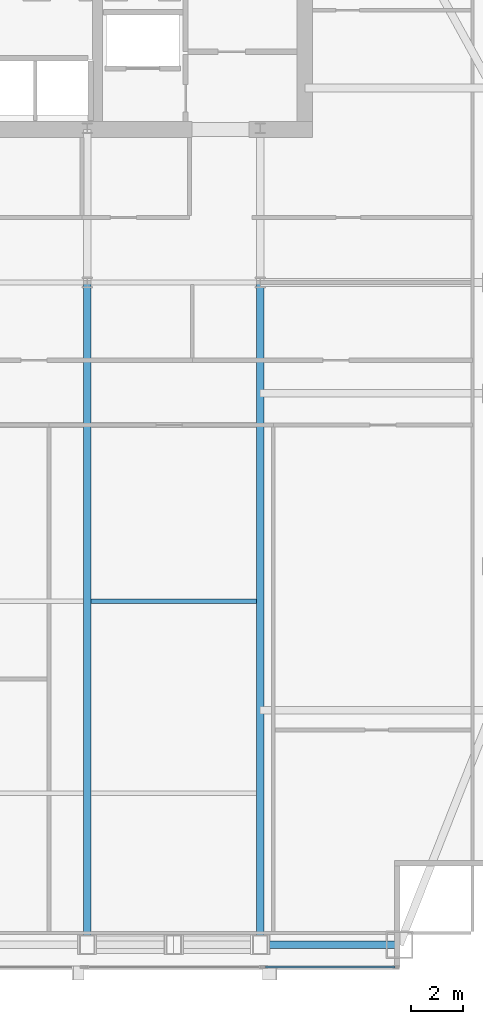
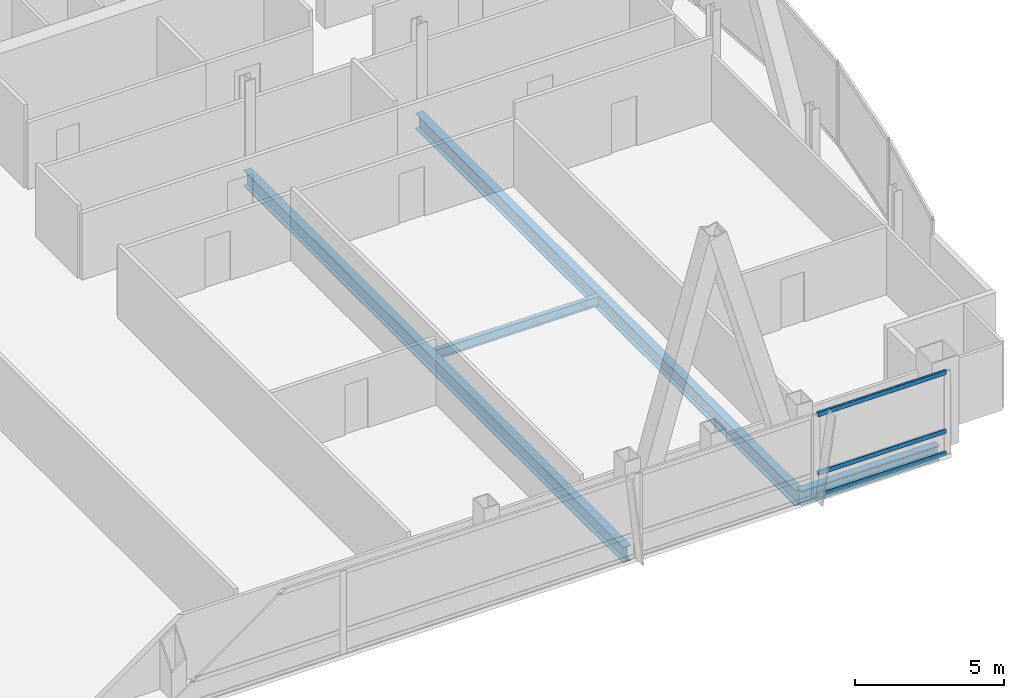
# One storey, part 15 of 31: 4 beams, 3 members, 1 element without a shape of its own.
"""IFC4 building model written with IfcOpenShell, lengths in metres."""

from ifc_helpers import new_model, si_unit, direction, frame, origin, origin_2d, place, context, subcontext, project, spatial, hollow_rectangle, i_section, extrude, material, material_profile, profile_set, type_object, element, aggregate, save


model = new_model("IFC4")

# Units and contexts
model_context = context("Model", 3, precision=1e-05, world=origin(), true_north=direction((0.0, 1.0)))
body_context = subcontext(model_context, "Body", "Model", "MODEL_VIEW")
ifc_project = project(units=[si_unit("LENGTHUNIT", "METRE"), si_unit("AREAUNIT", "SQUARE_METRE"), si_unit("VOLUMEUNIT", "CUBIC_METRE"), si_unit("PLANEANGLEUNIT", "RADIAN"), si_unit("MASSUNIT", "GRAM", prefix="KILO")], contexts=[model_context])

# Site, building, storey
site_placement = place(None, origin())
site = spatial("IfcSite", under=ifc_project, at=site_placement, CompositionType="ELEMENT")
building_placement = place(site_placement, origin())
building = spatial("IfcBuilding", under=site, at=building_placement, Name="Khoronbel Lancet Exchange", CompositionType="ELEMENT")
storey_placement = place(building_placement, frame((0.0, 0.0, 261.800048828125)))
storey = spatial("IfcBuildingStorey", under=building, at=storey_placement, Name="L67", CompositionType="ELEMENT", Elevation=261.800048828125)

# Beams
ifc_material_1 = material(Name="Steel S355", Category="steel")
ifc_material_profile_1 = material_profile(ifc_material_1, i_section(OverallWidth=0.300048828125, OverallDepth=0.64990234375, WebThickness=0.01611328125, FlangeThickness=0.031005859375, at=origin_2d()), Name="HEB 650")
ifc_profile_set_1 = profile_set([ifc_material_profile_1], Name="Steel S355")
beam_type_1 = type_object("IfcBeamType", Name="BM-BG4", PredefinedType="BEAM", material=ifc_profile_set_1)
for number, where, z_axis, x_axis, name in (
    (1, (48.0, 10.14990234375, -0.485107421875), (0.0, 1.0, 0.0), (-1.0, 0.0, 0.0), "Level L67 south primary girder GS5"),
    (2, (54.675048828125, 10.14990234375, -0.485107421875), (0.0, 1.0, 0.0), (-1.0, 0.0, 0.0), "Level L67 south primary girder GS6"),
):
    element("IfcBeam", number, at=place(storey_placement, frame(where, z_axis=z_axis, x_axis=x_axis)), inside=storey, type_object=beam_type_1, Name=name, PredefinedType="BEAM", context=body_context, shape_type="SweptSolid", body=[
        extrude(i_section(OverallWidth=0.300048828125, OverallDepth=0.64990234375, WebThickness=0.01611328125, FlangeThickness=0.031005859375, at=origin_2d()), origin(), (0.0, 0.0, 1.0), 25.550048828125),
    ])
ifc_material_profile_2 = material_profile(ifc_material_1, i_section(OverallWidth=0.179931640625, OverallDepth=0.39990234375, WebThickness=0.008544921875, FlangeThickness=0.013427734375, at=origin_2d()), Name="IPE 400")
ifc_profile_set_2 = profile_set([ifc_material_profile_2], Name="Steel S355")
beam_type_2 = type_object("IfcBeamType", Name="BM-BJ5", PredefinedType="JOIST", material=ifc_profile_set_2)
beam_1_placement = place(storey_placement, frame((48.14990234375, 23.39990234375, -0.360107421875), z_axis=(1.0, 0.0, 0.0), x_axis=(0.0, 1.0, 0.0)))
element("IfcBeam", 3, at=beam_1_placement, inside=storey, type_object=beam_type_2, Name="Level L67 secondary composite joist J10", PredefinedType="JOIST", context=body_context, shape_type="SweptSolid", body=[
    extrude(i_section(OverallWidth=0.179931640625, OverallDepth=0.39990234375, WebThickness=0.008544921875, FlangeThickness=0.013427734375, at=origin_2d()), origin(), (0.0, 0.0, 1.0), 6.375),
])
ifc_material_profile_3 = material_profile(ifc_material_1, i_section(OverallWidth=0.300048828125, OverallDepth=0.60009765625, WebThickness=0.015380859375, FlangeThickness=0.030029296875, at=origin_2d()), Name="HEB 600")
ifc_profile_set_3 = profile_set([ifc_material_profile_3], Name="Steel S355")
beam_type_3 = type_object("IfcBeamType", Name="BM-BSP2", PredefinedType="SPANDREL", material=ifc_profile_set_3)
beam_2_placement = place(storey_placement, frame((54.675048828125, 10.14990234375, -0.4599609375), z_axis=(1.0, 0.0, 0.0), x_axis=(0.0, 1.0, 0.0)))
element("IfcBeam", 4, at=beam_2_placement, inside=storey, type_object=beam_type_3, Name="Level L67 perimeter spandrel beam SP09", PredefinedType="SPANDREL", context=body_context, shape_type="SweptSolid", body=[
    extrude(i_section(OverallWidth=0.300048828125, OverallDepth=0.60009765625, WebThickness=0.015380859375, FlangeThickness=0.030029296875, at=origin_2d()), origin(), (0.0, 0.0, 1.0), 5.375),
])

# Curtain wall, members
ifc_material_2 = material(Name="Low-E Solar Control Insulating Glass", Category="glass")
curtain_wall_type = type_object("IfcCurtainWallType", Name="CW-3", PredefinedType="NOTDEFINED", material=ifc_material_2)
curtain_wall_placement = place(storey_placement, origin())
curtain_wall = element("IfcCurtainWall", 5, at=curtain_wall_placement, inside=storey, type_object=curtain_wall_type, Name="Unitised curtain wall CW-L67-SEV", PredefinedType="NOTDEFINED")
ifc_material_3 = material(Name="Bronze-Anodised Aluminium 6063-T6", Category="aluminium")
ifc_material_profile_4 = material_profile(ifc_material_3, hollow_rectangle(XDim=0.0849609375, YDim=0.179931640625, WallThickness=0.0048828125, at=origin_2d()), Name="ALU TRANSOM 85x180")
ifc_profile_set_4 = profile_set([ifc_material_profile_4], Name="Bronze-Anodised Aluminium 6063-T6")
member_type = type_object("IfcMemberType", Name="MEM-CWT1", PredefinedType="USERDEFINED", material=ifc_profile_set_4)
member_1_placement = place(storey_placement, frame((54.885009765625, 9.2900390625, 0.04248046875), z_axis=(1.0, 0.0, 0.0), x_axis=(0.0, 1.0, 0.0)))
member_1 = element("IfcMember", 6, at=member_1_placement, type_object=member_type, Name="CW3 transom 1.1", ObjectType="TRANSOM", PredefinedType="USERDEFINED", context=body_context, shape_type="SweptSolid", body=[
    extrude(hollow_rectangle(XDim=0.0849609375, YDim=0.179931640625, WallThickness=0.0048828125, at=origin_2d()), origin(), (0.0, 0.0, 1.0), 4.989990234375),
])
member_2_placement = place(storey_placement, frame((54.885009765625, 9.2900390625, 0.949951171875), z_axis=(1.0, 0.0, 0.0), x_axis=(0.0, 1.0, 0.0)))
member_2 = element("IfcMember", 7, at=member_2_placement, type_object=member_type, Name="CW3 transom 1.2", ObjectType="TRANSOM", PredefinedType="USERDEFINED", context=body_context, shape_type="SweptSolid", body=[
    extrude(hollow_rectangle(XDim=0.0849609375, YDim=0.179931640625, WallThickness=0.0048828125, at=origin_2d()), origin(), (0.0, 0.0, 1.0), 4.989990234375),
])
member_3_placement = place(storey_placement, frame((54.885009765625, 9.2900390625, 3.357421875), z_axis=(1.0, 0.0, 0.0), x_axis=(0.0, 1.0, 0.0)))
member_3 = element("IfcMember", 8, at=member_3_placement, type_object=member_type, Name="CW3 transom 1.3", ObjectType="TRANSOM", PredefinedType="USERDEFINED", context=body_context, shape_type="SweptSolid", body=[
    extrude(hollow_rectangle(XDim=0.0849609375, YDim=0.179931640625, WallThickness=0.0048828125, at=origin_2d()), origin(), (0.0, 0.0, 1.0), 4.989990234375),
])
aggregate(curtain_wall, [member_1, member_2, member_3])

save(model, "model.ifc")
